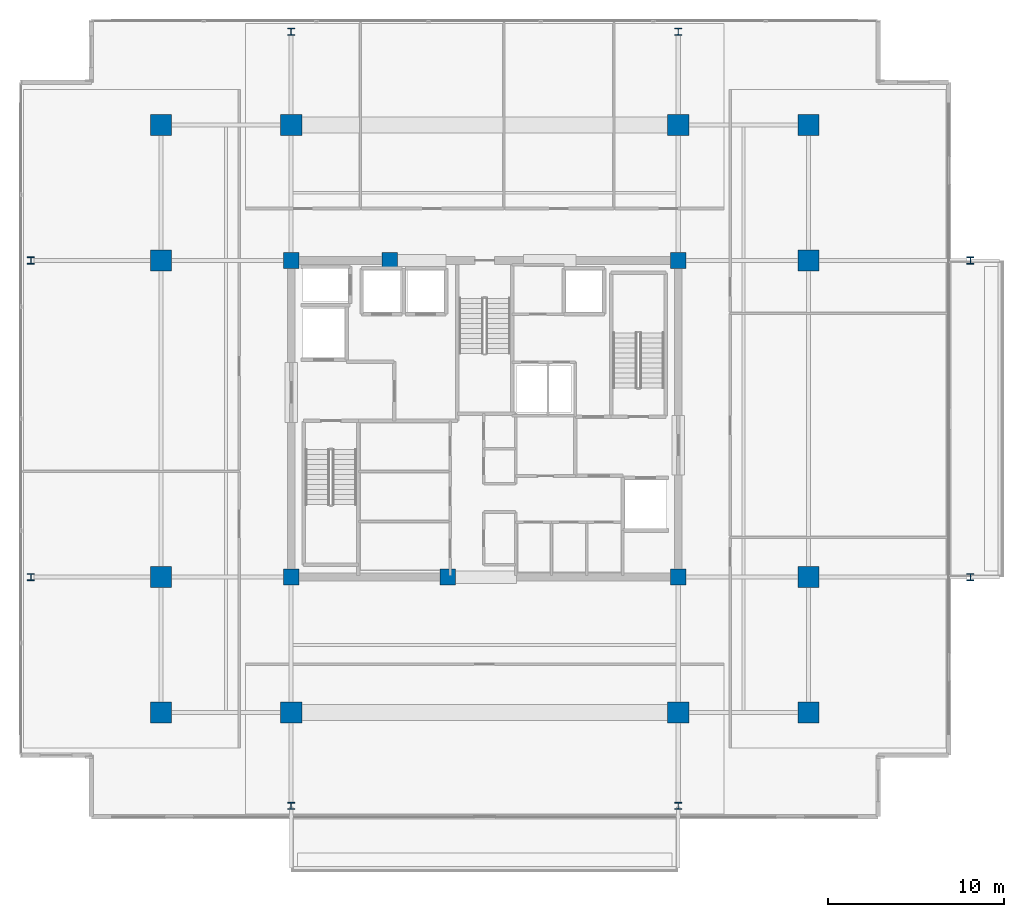
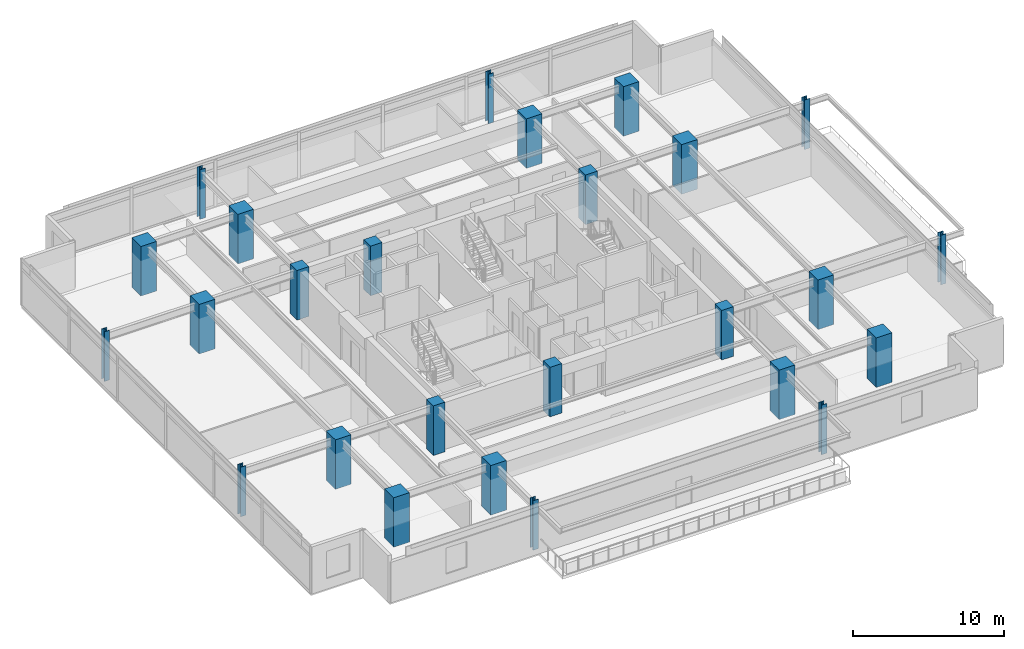
# One storey, part 1 of 24: 26 columns.
"""IFC4 building model written with IfcOpenShell, lengths in metres."""

from ifc_helpers import new_model, si_unit, direction, frame, origin, origin_2d, place, context, subcontext, project, spatial, rectangle, i_section, extrude, material, material_profile, profile_set, type_object, element, save


model = new_model("IFC4")

# Units and contexts
model_context = context("Model", 3, precision=1e-05, world=origin(), true_north=direction((0.0, 1.0)))
body_context = subcontext(model_context, "Body", "Model", "MODEL_VIEW")
ifc_project = project(units=[si_unit("LENGTHUNIT", "METRE"), si_unit("AREAUNIT", "SQUARE_METRE"), si_unit("VOLUMEUNIT", "CUBIC_METRE"), si_unit("PLANEANGLEUNIT", "RADIAN"), si_unit("MASSUNIT", "GRAM", prefix="KILO")], contexts=[model_context])

# Site, building, storey
site_placement = place(None, origin())
site = spatial("IfcSite", under=ifc_project, at=site_placement, CompositionType="ELEMENT")
building_placement = place(site_placement, origin())
building = spatial("IfcBuilding", under=site, at=building_placement, Name="Kovane Verandah Tower", CompositionType="ELEMENT")
storey_placement = place(building_placement, frame((0.0, 0.0, 259.199951171875)))
storey = spatial("IfcBuildingStorey", under=building, at=storey_placement, Name="L60", CompositionType="ELEMENT", Elevation=259.199951171875)

# Columns
ifc_material_1 = material(Name="Concrete C60/75", Category="concrete")
ifc_material_profile_1 = material_profile(ifc_material_1, rectangle(XDim=1.199951171875, YDim=1.199951171875, at=origin_2d()), Name="RC1200x1200")
ifc_profile_set_1 = profile_set([ifc_material_profile_1], Name="Concrete C60/75")
column_type_1 = type_object("IfcColumnType", Name="COL-RC1200", PredefinedType="COLUMN", material=ifc_profile_set_1)
for number, where, z_axis, x_axis, name in (
    (1, (29.0, 10.800048828125, 0.0), (0.0, 0.0, 1.0), (1.0, 0.0, 0.0), "L60 Tower Mega-Column MC-S1"),
    (2, (51.0, 10.800048828125, 0.0), (0.0, 0.0, 1.0), (1.0, 0.0, 0.0), "L60 Tower Mega-Column MC-S2"),
    (3, (29.0, 44.199951171875, 0.0), (0.0, 0.0, 1.0), (1.0, 0.0, 0.0), "L60 Tower Mega-Column MC-N1"),
    (4, (51.0, 44.199951171875, 0.0), (0.0, 0.0, 1.0), (1.0, 0.0, 0.0), "L60 Tower Mega-Column MC-N2"),
    (5, (21.60009765625, 18.5, 0.0), (0.0, 0.0, 1.0), (1.0, 0.0, 0.0), "L60 Tower Mega-Column MC-W1"),
    (6, (21.60009765625, 36.5, 0.0), (0.0, 0.0, 1.0), (1.0, 0.0, 0.0), "L60 Tower Mega-Column MC-W2"),
    (7, (58.39990234375, 18.5, 0.0), (0.0, 0.0, 1.0), (1.0, 0.0, 0.0), "L60 Tower Mega-Column MC-E1"),
    (8, (58.39990234375, 36.5, 0.0), (0.0, 0.0, 1.0), (1.0, 0.0, 0.0), "L60 Tower Mega-Column MC-E2"),
    (9, (21.60009765625, 10.800048828125, 0.0), (0.0, 0.0, 1.0), (1.0, 0.0, 0.0), "L60 Tower Mega-Column MC-SW"),
    (10, (58.39990234375, 10.800048828125, 0.0), (0.0, 0.0, 1.0), (1.0, 0.0, 0.0), "L60 Tower Mega-Column MC-SE"),
    (11, (21.60009765625, 44.199951171875, 0.0), (0.0, 0.0, 1.0), (1.0, 0.0, 0.0), "L60 Tower Mega-Column MC-NW"),
    (12, (58.39990234375, 44.199951171875, 0.0), (0.0, 0.0, 1.0), (1.0, 0.0, 0.0), "L60 Tower Mega-Column MC-NE"),
):
    element("IfcColumn", number, at=place(storey_placement, frame(where, z_axis=z_axis, x_axis=x_axis)), inside=storey, type_object=column_type_1, Name=name, PredefinedType="COLUMN", context=body_context, shape_type="SweptSolid", body=[
        extrude(rectangle(XDim=1.199951171875, YDim=1.199951171875, at=origin_2d()), origin(), (0.0, 0.0, 1.0), 4.0),
    ])
ifc_material_2 = material(Name="Steel S460", Category="steel")
ifc_material_profile_2 = material_profile(ifc_material_2, i_section(OverallWidth=0.403076171875, OverallDepth=0.406494140625, WebThickness=0.026611328125, FlangeThickness=0.04296875, FilletRadius=0.01513671875, at=origin_2d()), Name="UC356x406x340")
ifc_profile_set_2 = profile_set([ifc_material_profile_2], Name="Steel S460")
column_type_2 = type_object("IfcColumnType", Name="COL-UC340", PredefinedType="COLUMN", material=ifc_profile_set_2)
for number, where, z_axis, x_axis, name in (
    (13, (14.199951171875, 18.5, 0.0), (0.0, 0.0, 1.0), (1.0, 0.0, 0.0), "L60 Verandah Perimeter Column VC-W1"),
    (14, (14.199951171875, 36.5, 0.0), (0.0, 0.0, 1.0), (1.0, 0.0, 0.0), "L60 Verandah Perimeter Column VC-W2"),
    (15, (67.60009765625, 18.5, 0.0), (0.0, 0.0, 1.0), (1.0, 0.0, 0.0), "L60 Verandah Perimeter Column VC-E1"),
    (16, (67.60009765625, 36.5, 0.0), (0.0, 0.0, 1.0), (1.0, 0.0, 0.0), "L60 Verandah Perimeter Column VC-E2"),
    (17, (29.0, 5.5, 0.0), (0.0, 0.0, 1.0), (1.0, 0.0, 0.0), "L60 Verandah Perimeter Column VC-S1"),
    (18, (51.0, 5.5, 0.0), (0.0, 0.0, 1.0), (1.0, 0.0, 0.0), "L60 Verandah Perimeter Column VC-S2"),
    (19, (29.0, 49.5, 0.0), (0.0, 0.0, 1.0), (1.0, 0.0, 0.0), "L60 Verandah Perimeter Column VC-N1"),
    (20, (51.0, 49.5, 0.0), (0.0, 0.0, 1.0), (1.0, 0.0, 0.0), "L60 Verandah Perimeter Column VC-N2"),
):
    element("IfcColumn", number, at=place(storey_placement, frame(where, z_axis=z_axis, x_axis=x_axis)), inside=storey, type_object=column_type_2, Name=name, PredefinedType="COLUMN", context=body_context, shape_type="SweptSolid", body=[
        extrude(i_section(OverallWidth=0.403076171875, OverallDepth=0.406494140625, WebThickness=0.026611328125, FlangeThickness=0.04296875, FilletRadius=0.01513671875, at=origin_2d()), origin(), (0.0, 0.0, 1.0), 4.0),
    ])
ifc_material_profile_3 = material_profile(ifc_material_1, rectangle(XDim=0.89990234375, YDim=0.89990234375, at=origin_2d()), Name="RC900x900")
ifc_profile_set_3 = profile_set([ifc_material_profile_3], Name="Concrete C60/75")
column_type_3 = type_object("IfcColumnType", Name="PIL-RC900", PredefinedType="PILASTER", material=ifc_profile_set_3)
for number, where, z_axis, x_axis, name in (
    (21, (29.0, 18.5, 0.0), (0.0, 0.0, 1.0), (1.0, 0.0, 0.0), "L60 Core Pilaster CP-SW"),
    (22, (51.0, 18.5, 0.0), (0.0, 0.0, 1.0), (1.0, 0.0, 0.0), "L60 Core Pilaster CP-SE"),
    (23, (29.0, 36.5, 0.0), (0.0, 0.0, 1.0), (1.0, 0.0, 0.0), "L60 Core Pilaster CP-NW"),
    (24, (51.0, 36.5, 0.0), (0.0, 0.0, 1.0), (1.0, 0.0, 0.0), "L60 Core Pilaster CP-NE"),
    (25, (37.89990234375, 18.5, 0.0), (0.0, 0.0, 1.0), (1.0, 0.0, 0.0), "L60 Core Pilaster CP-S"),
    (26, (34.60009765625, 36.5, 0.0), (0.0, 0.0, 1.0), (1.0, 0.0, 0.0), "L60 Core Pilaster CP-N"),
):
    element("IfcColumn", number, at=place(storey_placement, frame(where, z_axis=z_axis, x_axis=x_axis)), inside=storey, type_object=column_type_3, Name=name, PredefinedType="PILASTER", context=body_context, shape_type="SweptSolid", body=[
        extrude(rectangle(XDim=0.89990234375, YDim=0.89990234375, at=origin_2d()), origin(), (0.0, 0.0, 1.0), 4.0),
    ])

save(model, "model.ifc")
